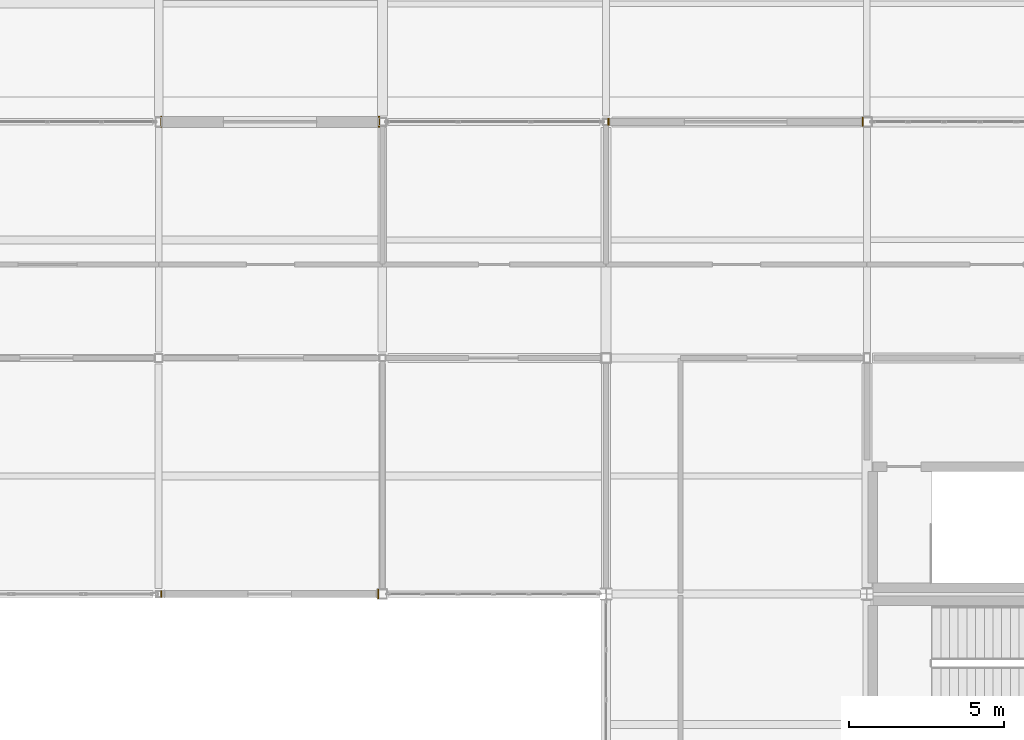
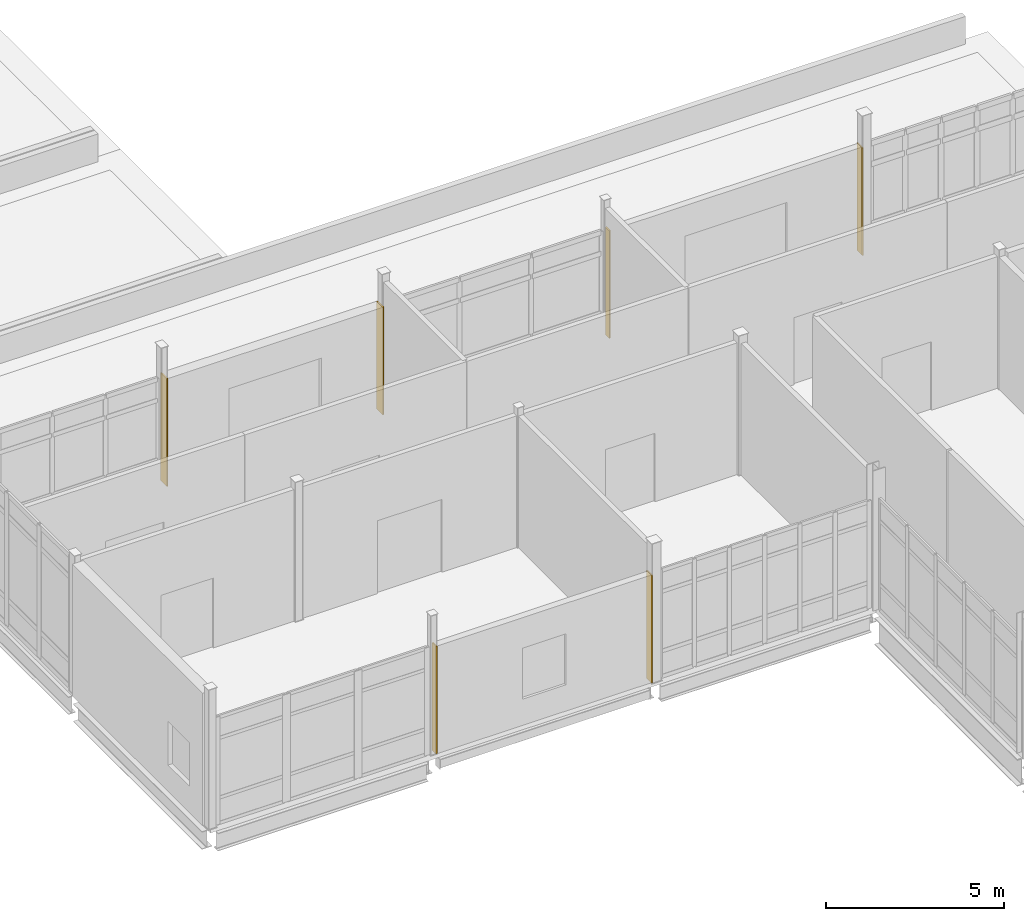
# One storey, part 170 of 186: 6 coverings.
"""IFC4 building model written with IfcOpenShell, lengths in metres."""

from ifc_helpers import new_model, si_unit, direction, frame, origin, place, context, subcontext, project, spatial, polyline, outline, extrude, material, layer, layer_set, type_object, element, save


model = new_model("IFC4")

# Units and contexts
model_context = context("Model", 3, precision=1e-05, world=origin(), true_north=direction((0.0, 1.0)))
body_context = subcontext(model_context, "Body", "Model", "MODEL_VIEW")
ifc_project = project(units=[si_unit("LENGTHUNIT", "METRE"), si_unit("AREAUNIT", "SQUARE_METRE"), si_unit("VOLUMEUNIT", "CUBIC_METRE"), si_unit("PLANEANGLEUNIT", "RADIAN"), si_unit("MASSUNIT", "GRAM", prefix="KILO")], contexts=[model_context])

# Site, building, storey
site_placement = place(None, origin())
site = spatial("IfcSite", under=ifc_project, at=site_placement, CompositionType="ELEMENT")
building_placement = place(site_placement, origin())
building = spatial("IfcBuilding", under=site, at=building_placement, Name="Calvrana Isthmian Art Gallery", CompositionType="ELEMENT")
storey_placement = place(building_placement, frame((0.0, 0.0, 5.39990234375)))
storey = spatial("IfcBuildingStorey", under=building, at=storey_placement, Name="L01", CompositionType="ELEMENT", Elevation=5.39990234375)

# Coverings
ifc_material = material(Name="Polychrome glazed terracotta", Category="masonry")
ifc_layer = layer(ifc_material, 0.0400390625, Name="Polychrome glazed terracotta")
ifc_layer_set = layer_set([ifc_layer], Name="Polychrome glazed terracotta")
covering_type = type_object("IfcCoveringType", Name="COV-CLAD-TERRA", PredefinedType="CLADDING", material=ifc_layer_set)
covering_1_placement = place(storey_placement, origin())
element("IfcCovering", 1, at=covering_1_placement, inside=storey, type_object=covering_type, Name="Column pocket weather closure L01-01-06-W", PredefinedType="CLADDING", context=body_context, shape_type="SweptSolid", body=[
    extrude(outline(polyline([(7.26171875, 46.68994140625), (7.301513671875, 46.68994140625), (7.301513671875, 46.909912109375), (7.26171875, 46.909912109375), (7.26171875, 46.68994140625)])), origin(), (0.0, 0.0, 1.0), 3.695068359375),
])
covering_2_placement = place(storey_placement, origin())
element("IfcCovering", 2, at=covering_2_placement, inside=storey, type_object=covering_type, Name="Column pocket weather closure L01-01-06-E", PredefinedType="CLADDING", context=body_context, shape_type="SweptSolid", body=[
    extrude(outline(polyline([(14.24755859375, 46.652587890625), (14.28759765625, 46.652587890625), (14.28759765625, 46.947509765625), (14.24755859375, 46.947509765625), (14.24755859375, 46.652587890625)])), origin(), (0.0, 0.0, 1.0), 3.695068359375),
])
covering_3_placement = place(storey_placement, origin())
element("IfcCovering", 3, at=covering_3_placement, inside=storey, type_object=covering_type, Name="Column pocket weather closure L01-01-08-W", PredefinedType="CLADDING", context=body_context, shape_type="SweptSolid", body=[
    extrude(outline(polyline([(7.26171875, 61.824951171875), (7.301513671875, 61.824951171875), (7.301513671875, 62.175048828125), (7.26171875, 62.175048828125), (7.26171875, 61.824951171875)])), origin(), (0.0, 0.0, 1.0), 3.695068359375),
])
covering_4_placement = place(storey_placement, origin())
element("IfcCovering", 4, at=covering_4_placement, inside=storey, type_object=covering_type, Name="Column pocket weather closure L01-01-08-E", PredefinedType="CLADDING", context=body_context, shape_type="SweptSolid", body=[
    extrude(outline(polyline([(14.27294921875, 61.824951171875), (14.31298828125, 61.824951171875), (14.31298828125, 62.175048828125), (14.27294921875, 62.175048828125), (14.27294921875, 61.824951171875)])), origin(), (0.0, 0.0, 1.0), 3.695068359375),
])
covering_5_placement = place(storey_placement, origin())
element("IfcCovering", 5, at=covering_5_placement, inside=storey, type_object=covering_type, Name="Column pocket weather closure L01-03-08-W", PredefinedType="CLADDING", context=body_context, shape_type="SweptSolid", body=[
    extrude(outline(polyline([(21.66162109375, 61.889892578125), (21.70166015625, 61.889892578125), (21.70166015625, 62.110107421875), (21.66162109375, 62.110107421875), (21.66162109375, 61.889892578125)])), origin(), (0.0, 0.0, 1.0), 3.695068359375),
])
covering_6_placement = place(storey_placement, origin())
element("IfcCovering", 6, at=covering_6_placement, inside=storey, type_object=covering_type, Name="Column pocket weather closure L01-03-08-E", PredefinedType="CLADDING", context=body_context, shape_type="SweptSolid", body=[
    extrude(outline(polyline([(29.84765625, 61.8525390625), (29.8876953125, 61.8525390625), (29.8876953125, 62.1474609375), (29.84765625, 62.1474609375), (29.84765625, 61.8525390625)])), origin(), (0.0, 0.0, 1.0), 3.695068359375),
])

save(model, "model.ifc")
